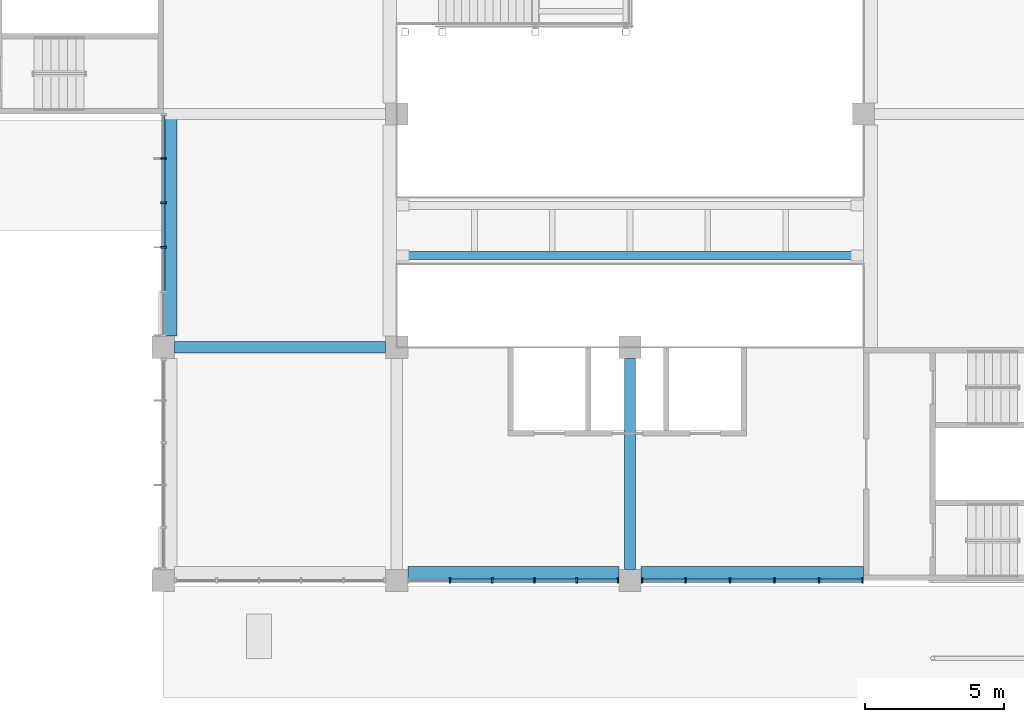
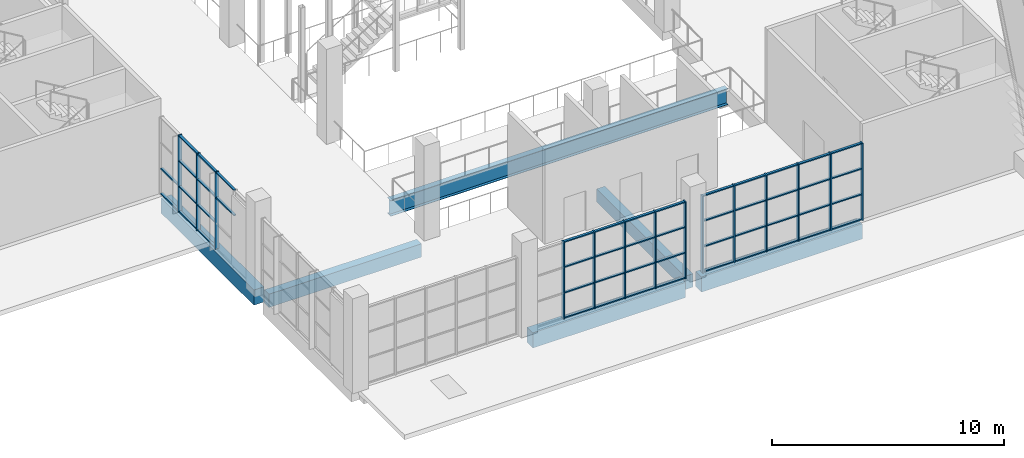
# One storey, part 12 of 101: 62 members, 6 beams, 3 elements without a shape of their own.
"""IFC4 building model written with IfcOpenShell, lengths in metres."""

from ifc_helpers import new_model, si_unit, direction, frame, origin, origin_2d, place, context, subcontext, project, spatial, rectangle, i_section, extrude, material, material_profile, profile_set, type_object, element, aggregate, save


model = new_model("IFC4")

# Units and contexts
model_context = context("Model", 3, precision=1e-05, world=origin(), true_north=direction((0.0, 1.0)))
body_context = subcontext(model_context, "Body", "Model", "MODEL_VIEW")
ifc_project = project(units=[si_unit("LENGTHUNIT", "METRE"), si_unit("AREAUNIT", "SQUARE_METRE"), si_unit("VOLUMEUNIT", "CUBIC_METRE"), si_unit("PLANEANGLEUNIT", "RADIAN"), si_unit("MASSUNIT", "GRAM", prefix="KILO")], contexts=[model_context])

# Site, building, storey
site_placement = place(None, origin())
site = spatial("IfcSite", under=ifc_project, at=site_placement, CompositionType="ELEMENT")
building_placement = place(site_placement, origin())
building = spatial("IfcBuilding", under=site, at=building_placement, Name="Almond Square Museum", CompositionType="ELEMENT")
storey_placement = place(building_placement, frame((0.0, 0.0, 5.5)))
storey = spatial("IfcBuildingStorey", under=building, at=storey_placement, Name="L01", CompositionType="ELEMENT", Elevation=5.5)

# Curtain wall, members
ifc_material_1 = material(Name="Aluminium and laminated glass", Category="aluminium")
curtain_wall_type = type_object("IfcCurtainWallType", Name="Unitised curtain wall 1500 module", PredefinedType="NOTDEFINED", material=ifc_material_1)
curtain_wall_1_placement = place(storey_placement, origin())
curtain_wall_1 = element("IfcCurtainWall", 1, at=curtain_wall_1_placement, inside=storey, type_object=curtain_wall_type, Name="Curtain wall CW-11", PredefinedType="NOTDEFINED")
ifc_material_2 = material(Name="Anodised aluminium", Category="aluminium")
ifc_material_profile_1 = material_profile(ifc_material_2, rectangle(XDim=0.199951171875, YDim=0.06005859375, at=origin_2d()))
ifc_profile_set_1 = profile_set([ifc_material_profile_1], Name="Anodised aluminium")
member_type_1 = type_object("IfcMemberType", Name="Aluminium mullion 60 x 200", PredefinedType="MULLION", material=ifc_profile_set_1)
member_1_placement = place(storey_placement, frame((73.199951171875, 79.199951171875, 0.0), z_axis=(0.0, 0.0, 1.0), x_axis=(-1.0, 0.0, 0.0)))
member_1 = element("IfcMember", 2, at=member_1_placement, type_object=member_type_1, Name="CW-11 mullion 3", PredefinedType="MULLION", context=body_context, shape_type="SweptSolid", body=[
    extrude(rectangle(XDim=0.199951171875, YDim=0.06005859375, at=origin_2d()), origin(), (0.0, 0.0, 1.0), 4.050048828125),
])
member_2_placement = place(storey_placement, frame((73.199951171875, 80.800048828125, 0.0), z_axis=(0.0, 0.0, 1.0), x_axis=(-1.0, 0.0, 0.0)))
member_2 = element("IfcMember", 3, at=member_2_placement, type_object=member_type_1, Name="CW-11 mullion 4", PredefinedType="MULLION", context=body_context, shape_type="SweptSolid", body=[
    extrude(rectangle(XDim=0.199951171875, YDim=0.06005859375, at=origin_2d()), origin(), (0.0, 0.0, 1.0), 4.050048828125),
])
member_3_placement = place(storey_placement, frame((73.199951171875, 82.39990234375, 0.0), z_axis=(0.0, 0.0, 1.0), x_axis=(-1.0, 0.0, 0.0)))
member_3 = element("IfcMember", 4, at=member_3_placement, type_object=member_type_1, Name="CW-11 mullion 5", PredefinedType="MULLION", context=body_context, shape_type="SweptSolid", body=[
    extrude(rectangle(XDim=0.199951171875, YDim=0.06005859375, at=origin_2d()), origin(), (0.0, 0.0, 1.0), 4.050048828125),
])

curtain_wall_2_placement = place(storey_placement, origin())
curtain_wall_2 = element("IfcCurtainWall", 5, at=curtain_wall_2_placement, inside=storey, type_object=curtain_wall_type, Name="Curtain wall CW-14", PredefinedType="NOTDEFINED")
member_4_placement = place(storey_placement, frame((83.52001953125, 67.199951171875, 0.0), z_axis=(0.0, 0.0, 1.0), x_axis=(0.0, 1.0, 0.0)))
member_4 = element("IfcMember", 6, at=member_4_placement, type_object=member_type_1, Name="CW-14 mullion 2", PredefinedType="MULLION", context=body_context, shape_type="SweptSolid", body=[
    extrude(rectangle(XDim=0.199951171875, YDim=0.06005859375, at=origin_2d()), origin(), (0.0, 0.0, 1.0), 4.050048828125),
])
member_5_placement = place(storey_placement, frame((85.0400390625, 67.199951171875, 0.0), z_axis=(0.0, 0.0, 1.0), x_axis=(0.0, 1.0, 0.0)))
member_5 = element("IfcMember", 7, at=member_5_placement, type_object=member_type_1, Name="CW-14 mullion 3", PredefinedType="MULLION", context=body_context, shape_type="SweptSolid", body=[
    extrude(rectangle(XDim=0.199951171875, YDim=0.06005859375, at=origin_2d()), origin(), (0.0, 0.0, 1.0), 4.050048828125),
])
member_6_placement = place(storey_placement, frame((86.56005859375, 67.199951171875, 0.0), z_axis=(0.0, 0.0, 1.0), x_axis=(0.0, 1.0, 0.0)))
member_6 = element("IfcMember", 8, at=member_6_placement, type_object=member_type_1, Name="CW-14 mullion 4", PredefinedType="MULLION", context=body_context, shape_type="SweptSolid", body=[
    extrude(rectangle(XDim=0.199951171875, YDim=0.06005859375, at=origin_2d()), origin(), (0.0, 0.0, 1.0), 4.050048828125),
])
member_7_placement = place(storey_placement, frame((88.080078125, 67.199951171875, 0.0), z_axis=(0.0, 0.0, 1.0), x_axis=(0.0, 1.0, 0.0)))
member_7 = element("IfcMember", 9, at=member_7_placement, type_object=member_type_1, Name="CW-14 mullion 5", PredefinedType="MULLION", context=body_context, shape_type="SweptSolid", body=[
    extrude(rectangle(XDim=0.199951171875, YDim=0.06005859375, at=origin_2d()), origin(), (0.0, 0.0, 1.0), 4.050048828125),
])
member_8_placement = place(storey_placement, frame((89.570068359375, 67.199951171875, 0.0), z_axis=(0.0, 0.0, 1.0), x_axis=(0.0, 1.0, 0.0)))
member_8 = element("IfcMember", 10, at=member_8_placement, type_object=member_type_1, Name="CW-14 mullion 6", PredefinedType="MULLION", context=body_context, shape_type="SweptSolid", body=[
    extrude(rectangle(XDim=0.199951171875, YDim=0.06005859375, at=origin_2d()), origin(), (0.0, 0.0, 1.0), 4.050048828125),
])

curtain_wall_3_placement = place(storey_placement, origin())
curtain_wall_3 = element("IfcCurtainWall", 11, at=curtain_wall_3_placement, inside=storey, type_object=curtain_wall_type, Name="Curtain wall CW-15", PredefinedType="NOTDEFINED")
member_9_placement = place(storey_placement, frame((90.429931640625, 67.199951171875, 0.0), z_axis=(0.0, 0.0, 1.0), x_axis=(0.0, 1.0, 0.0)))
member_9 = element("IfcMember", 12, at=member_9_placement, type_object=member_type_1, Name="CW-15 mullion 1", PredefinedType="MULLION", context=body_context, shape_type="SweptSolid", body=[
    extrude(rectangle(XDim=0.199951171875, YDim=0.06005859375, at=origin_2d()), origin(), (0.0, 0.0, 1.0), 4.050048828125),
])
member_10_placement = place(storey_placement, frame((92.0, 67.199951171875, 0.0), z_axis=(0.0, 0.0, 1.0), x_axis=(0.0, 1.0, 0.0)))
member_10 = element("IfcMember", 13, at=member_10_placement, type_object=member_type_1, Name="CW-15 mullion 2", PredefinedType="MULLION", context=body_context, shape_type="SweptSolid", body=[
    extrude(rectangle(XDim=0.199951171875, YDim=0.06005859375, at=origin_2d()), origin(), (0.0, 0.0, 1.0), 4.050048828125),
])
member_11_placement = place(storey_placement, frame((93.60009765625, 67.199951171875, 0.0), z_axis=(0.0, 0.0, 1.0), x_axis=(0.0, 1.0, 0.0)))
member_11 = element("IfcMember", 14, at=member_11_placement, type_object=member_type_1, Name="CW-15 mullion 3", PredefinedType="MULLION", context=body_context, shape_type="SweptSolid", body=[
    extrude(rectangle(XDim=0.199951171875, YDim=0.06005859375, at=origin_2d()), origin(), (0.0, 0.0, 1.0), 4.050048828125),
])
member_12_placement = place(storey_placement, frame((95.199951171875, 67.199951171875, 0.0), z_axis=(0.0, 0.0, 1.0), x_axis=(0.0, 1.0, 0.0)))
member_12 = element("IfcMember", 15, at=member_12_placement, type_object=member_type_1, Name="CW-15 mullion 4", PredefinedType="MULLION", context=body_context, shape_type="SweptSolid", body=[
    extrude(rectangle(XDim=0.199951171875, YDim=0.06005859375, at=origin_2d()), origin(), (0.0, 0.0, 1.0), 4.050048828125),
])
member_13_placement = place(storey_placement, frame((96.800048828125, 67.199951171875, 0.0), z_axis=(0.0, 0.0, 1.0), x_axis=(0.0, 1.0, 0.0)))
member_13 = element("IfcMember", 16, at=member_13_placement, type_object=member_type_1, Name="CW-15 mullion 5", PredefinedType="MULLION", context=body_context, shape_type="SweptSolid", body=[
    extrude(rectangle(XDim=0.199951171875, YDim=0.06005859375, at=origin_2d()), origin(), (0.0, 0.0, 1.0), 4.050048828125),
])
member_14_placement = place(storey_placement, frame((98.3701171875, 67.199951171875, 0.0), z_axis=(0.0, 0.0, 1.0), x_axis=(0.0, 1.0, 0.0)))
member_14 = element("IfcMember", 17, at=member_14_placement, type_object=member_type_1, Name="CW-15 mullion 6", PredefinedType="MULLION", context=body_context, shape_type="SweptSolid", body=[
    extrude(rectangle(XDim=0.199951171875, YDim=0.06005859375, at=origin_2d()), origin(), (0.0, 0.0, 1.0), 4.050048828125),
])

# Member
ifc_material_3 = material(Name="Anodised aluminium", Category="aluminium")
ifc_material_profile_2 = material_profile(ifc_material_3, rectangle(XDim=0.1201171875, YDim=0.06005859375, at=origin_2d()))
ifc_profile_set_2 = profile_set([ifc_material_profile_2], Name="Anodised aluminium")
member_type_2 = type_object("IfcMemberType", Name="Aluminium transom 60 x 120", PredefinedType="USERDEFINED", material=ifc_profile_set_2)
member_15_placement = place(storey_placement, frame((73.199951171875, 77.6298828125, 2.699951171875), z_axis=(0.0, 1.0, 0.0), x_axis=(-1.0, 0.0, 0.0)))
member_15 = element("IfcMember", 18, at=member_15_placement, type_object=member_type_2, Name="CW-11 transom 2.3", ObjectType="TRANSOM", PredefinedType="USERDEFINED", context=body_context, shape_type="SweptSolid", body=[
    extrude(rectangle(XDim=0.1201171875, YDim=0.06005859375, at=origin_2d()), origin(), (0.0, 0.0, 1.0), 1.5400390625),
])

member_16_placement = place(storey_placement, frame((73.199951171875, 77.6298828125, 4.02001953125), z_axis=(0.0, 1.0, 0.0), x_axis=(-1.0, 0.0, 0.0)))
member_16 = element("IfcMember", 19, at=member_16_placement, type_object=member_type_2, Name="CW-11 transom 2.4", ObjectType="TRANSOM", PredefinedType="USERDEFINED", context=body_context, shape_type="SweptSolid", body=[
    extrude(rectangle(XDim=0.1201171875, YDim=0.06005859375, at=origin_2d()), origin(), (0.0, 0.0, 1.0), 1.5400390625),
])

member_17_placement = place(storey_placement, frame((73.199951171875, 79.22998046875, 0.030029296875), z_axis=(0.0, 1.0, 0.0), x_axis=(-1.0, 0.0, 0.0)))
member_17 = element("IfcMember", 20, at=member_17_placement, type_object=member_type_2, Name="CW-11 transom 3.1", ObjectType="TRANSOM", PredefinedType="USERDEFINED", context=body_context, shape_type="SweptSolid", body=[
    extrude(rectangle(XDim=0.1201171875, YDim=0.06005859375, at=origin_2d()), origin(), (0.0, 0.0, 1.0), 1.5400390625),
])

member_18_placement = place(storey_placement, frame((73.199951171875, 79.22998046875, 1.35009765625), z_axis=(0.0, 1.0, 0.0), x_axis=(-1.0, 0.0, 0.0)))
member_18 = element("IfcMember", 21, at=member_18_placement, type_object=member_type_2, Name="CW-11 transom 3.2", ObjectType="TRANSOM", PredefinedType="USERDEFINED", context=body_context, shape_type="SweptSolid", body=[
    extrude(rectangle(XDim=0.1201171875, YDim=0.06005859375, at=origin_2d()), origin(), (0.0, 0.0, 1.0), 1.5400390625),
])

member_19_placement = place(storey_placement, frame((73.199951171875, 79.22998046875, 2.699951171875), z_axis=(0.0, 1.0, 0.0), x_axis=(-1.0, 0.0, 0.0)))
member_19 = element("IfcMember", 22, at=member_19_placement, type_object=member_type_2, Name="CW-11 transom 3.3", ObjectType="TRANSOM", PredefinedType="USERDEFINED", context=body_context, shape_type="SweptSolid", body=[
    extrude(rectangle(XDim=0.1201171875, YDim=0.06005859375, at=origin_2d()), origin(), (0.0, 0.0, 1.0), 1.5400390625),
])

member_20_placement = place(storey_placement, frame((73.199951171875, 79.22998046875, 4.02001953125), z_axis=(0.0, 1.0, 0.0), x_axis=(-1.0, 0.0, 0.0)))
member_20 = element("IfcMember", 23, at=member_20_placement, type_object=member_type_2, Name="CW-11 transom 3.4", ObjectType="TRANSOM", PredefinedType="USERDEFINED", context=body_context, shape_type="SweptSolid", body=[
    extrude(rectangle(XDim=0.1201171875, YDim=0.06005859375, at=origin_2d()), origin(), (0.0, 0.0, 1.0), 1.5400390625),
])

member_21_placement = place(storey_placement, frame((73.199951171875, 80.830078125, 0.030029296875), z_axis=(0.0, 1.0, 0.0), x_axis=(-1.0, 0.0, 0.0)))
member_21 = element("IfcMember", 24, at=member_21_placement, type_object=member_type_2, Name="CW-11 transom 4.1", ObjectType="TRANSOM", PredefinedType="USERDEFINED", context=body_context, shape_type="SweptSolid", body=[
    extrude(rectangle(XDim=0.1201171875, YDim=0.06005859375, at=origin_2d()), origin(), (0.0, 0.0, 1.0), 1.5400390625),
])

member_22_placement = place(storey_placement, frame((73.199951171875, 80.830078125, 1.35009765625), z_axis=(0.0, 1.0, 0.0), x_axis=(-1.0, 0.0, 0.0)))
member_22 = element("IfcMember", 25, at=member_22_placement, type_object=member_type_2, Name="CW-11 transom 4.2", ObjectType="TRANSOM", PredefinedType="USERDEFINED", context=body_context, shape_type="SweptSolid", body=[
    extrude(rectangle(XDim=0.1201171875, YDim=0.06005859375, at=origin_2d()), origin(), (0.0, 0.0, 1.0), 1.5400390625),
])

member_23_placement = place(storey_placement, frame((73.199951171875, 80.830078125, 2.699951171875), z_axis=(0.0, 1.0, 0.0), x_axis=(-1.0, 0.0, 0.0)))
member_23 = element("IfcMember", 26, at=member_23_placement, type_object=member_type_2, Name="CW-11 transom 4.3", ObjectType="TRANSOM", PredefinedType="USERDEFINED", context=body_context, shape_type="SweptSolid", body=[
    extrude(rectangle(XDim=0.1201171875, YDim=0.06005859375, at=origin_2d()), origin(), (0.0, 0.0, 1.0), 1.5400390625),
])

member_24_placement = place(storey_placement, frame((73.199951171875, 80.830078125, 4.02001953125), z_axis=(0.0, 1.0, 0.0), x_axis=(-1.0, 0.0, 0.0)))
member_24 = element("IfcMember", 27, at=member_24_placement, type_object=member_type_2, Name="CW-11 transom 4.4", ObjectType="TRANSOM", PredefinedType="USERDEFINED", context=body_context, shape_type="SweptSolid", body=[
    extrude(rectangle(XDim=0.1201171875, YDim=0.06005859375, at=origin_2d()), origin(), (0.0, 0.0, 1.0), 1.5400390625),
])

member_25_placement = place(storey_placement, frame((73.199951171875, 82.429931640625, 0.030029296875), z_axis=(0.0, 1.0, 0.0), x_axis=(-1.0, 0.0, 0.0)))
member_25 = element("IfcMember", 28, at=member_25_placement, type_object=member_type_2, Name="CW-11 transom 5.1", ObjectType="TRANSOM", PredefinedType="USERDEFINED", context=body_context, shape_type="SweptSolid", body=[
    extrude(rectangle(XDim=0.1201171875, YDim=0.06005859375, at=origin_2d()), origin(), (0.0, 0.0, 1.0), 1.510009765625),
])

member_26_placement = place(storey_placement, frame((73.199951171875, 82.429931640625, 1.35009765625), z_axis=(0.0, 1.0, 0.0), x_axis=(-1.0, 0.0, 0.0)))
member_26 = element("IfcMember", 29, at=member_26_placement, type_object=member_type_2, Name="CW-11 transom 5.2", ObjectType="TRANSOM", PredefinedType="USERDEFINED", context=body_context, shape_type="SweptSolid", body=[
    extrude(rectangle(XDim=0.1201171875, YDim=0.06005859375, at=origin_2d()), origin(), (0.0, 0.0, 1.0), 1.510009765625),
])

aggregate(curtain_wall_1, [member_1, member_2, member_3, member_15, member_16, member_17, member_18, member_19, member_20, member_21, member_22, member_23, member_24, member_25, member_26])

member_27_placement = place(storey_placement, frame((83.550048828125, 67.199951171875, 0.030029296875), z_axis=(1.0, 0.0, 0.0), x_axis=(0.0, 1.0, 0.0)))
member_27 = element("IfcMember", 30, at=member_27_placement, type_object=member_type_2, Name="CW-14 transom 2.1", ObjectType="TRANSOM", PredefinedType="USERDEFINED", context=body_context, shape_type="SweptSolid", body=[
    extrude(rectangle(XDim=0.1201171875, YDim=0.06005859375, at=origin_2d()), origin(), (0.0, 0.0, 1.0), 1.4599609375),
])

member_28_placement = place(storey_placement, frame((83.550048828125, 67.199951171875, 1.35009765625), z_axis=(1.0, 0.0, 0.0), x_axis=(0.0, 1.0, 0.0)))
member_28 = element("IfcMember", 31, at=member_28_placement, type_object=member_type_2, Name="CW-14 transom 2.2", ObjectType="TRANSOM", PredefinedType="USERDEFINED", context=body_context, shape_type="SweptSolid", body=[
    extrude(rectangle(XDim=0.1201171875, YDim=0.06005859375, at=origin_2d()), origin(), (0.0, 0.0, 1.0), 1.4599609375),
])

member_29_placement = place(storey_placement, frame((83.550048828125, 67.199951171875, 2.699951171875), z_axis=(1.0, 0.0, 0.0), x_axis=(0.0, 1.0, 0.0)))
member_29 = element("IfcMember", 32, at=member_29_placement, type_object=member_type_2, Name="CW-14 transom 2.3", ObjectType="TRANSOM", PredefinedType="USERDEFINED", context=body_context, shape_type="SweptSolid", body=[
    extrude(rectangle(XDim=0.1201171875, YDim=0.06005859375, at=origin_2d()), origin(), (0.0, 0.0, 1.0), 1.4599609375),
])

member_30_placement = place(storey_placement, frame((83.550048828125, 67.199951171875, 4.02001953125), z_axis=(1.0, 0.0, 0.0), x_axis=(0.0, 1.0, 0.0)))
member_30 = element("IfcMember", 33, at=member_30_placement, type_object=member_type_2, Name="CW-14 transom 2.4", ObjectType="TRANSOM", PredefinedType="USERDEFINED", context=body_context, shape_type="SweptSolid", body=[
    extrude(rectangle(XDim=0.1201171875, YDim=0.06005859375, at=origin_2d()), origin(), (0.0, 0.0, 1.0), 1.4599609375),
])

member_31_placement = place(storey_placement, frame((85.070068359375, 67.199951171875, 0.030029296875), z_axis=(1.0, 0.0, 0.0), x_axis=(0.0, 1.0, 0.0)))
member_31 = element("IfcMember", 34, at=member_31_placement, type_object=member_type_2, Name="CW-14 transom 3.1", ObjectType="TRANSOM", PredefinedType="USERDEFINED", context=body_context, shape_type="SweptSolid", body=[
    extrude(rectangle(XDim=0.1201171875, YDim=0.06005859375, at=origin_2d()), origin(), (0.0, 0.0, 1.0), 1.4599609375),
])

member_32_placement = place(storey_placement, frame((85.070068359375, 67.199951171875, 1.35009765625), z_axis=(1.0, 0.0, 0.0), x_axis=(0.0, 1.0, 0.0)))
member_32 = element("IfcMember", 35, at=member_32_placement, type_object=member_type_2, Name="CW-14 transom 3.2", ObjectType="TRANSOM", PredefinedType="USERDEFINED", context=body_context, shape_type="SweptSolid", body=[
    extrude(rectangle(XDim=0.1201171875, YDim=0.06005859375, at=origin_2d()), origin(), (0.0, 0.0, 1.0), 1.4599609375),
])

member_33_placement = place(storey_placement, frame((85.070068359375, 67.199951171875, 2.699951171875), z_axis=(1.0, 0.0, 0.0), x_axis=(0.0, 1.0, 0.0)))
member_33 = element("IfcMember", 36, at=member_33_placement, type_object=member_type_2, Name="CW-14 transom 3.3", ObjectType="TRANSOM", PredefinedType="USERDEFINED", context=body_context, shape_type="SweptSolid", body=[
    extrude(rectangle(XDim=0.1201171875, YDim=0.06005859375, at=origin_2d()), origin(), (0.0, 0.0, 1.0), 1.4599609375),
])

member_34_placement = place(storey_placement, frame((85.070068359375, 67.199951171875, 4.02001953125), z_axis=(1.0, 0.0, 0.0), x_axis=(0.0, 1.0, 0.0)))
member_34 = element("IfcMember", 37, at=member_34_placement, type_object=member_type_2, Name="CW-14 transom 3.4", ObjectType="TRANSOM", PredefinedType="USERDEFINED", context=body_context, shape_type="SweptSolid", body=[
    extrude(rectangle(XDim=0.1201171875, YDim=0.06005859375, at=origin_2d()), origin(), (0.0, 0.0, 1.0), 1.4599609375),
])

member_35_placement = place(storey_placement, frame((86.590087890625, 67.199951171875, 0.030029296875), z_axis=(1.0, 0.0, 0.0), x_axis=(0.0, 1.0, 0.0)))
member_35 = element("IfcMember", 38, at=member_35_placement, type_object=member_type_2, Name="CW-14 transom 4.1", ObjectType="TRANSOM", PredefinedType="USERDEFINED", context=body_context, shape_type="SweptSolid", body=[
    extrude(rectangle(XDim=0.1201171875, YDim=0.06005859375, at=origin_2d()), origin(), (0.0, 0.0, 1.0), 1.4599609375),
])

member_36_placement = place(storey_placement, frame((86.590087890625, 67.199951171875, 1.35009765625), z_axis=(1.0, 0.0, 0.0), x_axis=(0.0, 1.0, 0.0)))
member_36 = element("IfcMember", 39, at=member_36_placement, type_object=member_type_2, Name="CW-14 transom 4.2", ObjectType="TRANSOM", PredefinedType="USERDEFINED", context=body_context, shape_type="SweptSolid", body=[
    extrude(rectangle(XDim=0.1201171875, YDim=0.06005859375, at=origin_2d()), origin(), (0.0, 0.0, 1.0), 1.4599609375),
])

member_37_placement = place(storey_placement, frame((86.590087890625, 67.199951171875, 2.699951171875), z_axis=(1.0, 0.0, 0.0), x_axis=(0.0, 1.0, 0.0)))
member_37 = element("IfcMember", 40, at=member_37_placement, type_object=member_type_2, Name="CW-14 transom 4.3", ObjectType="TRANSOM", PredefinedType="USERDEFINED", context=body_context, shape_type="SweptSolid", body=[
    extrude(rectangle(XDim=0.1201171875, YDim=0.06005859375, at=origin_2d()), origin(), (0.0, 0.0, 1.0), 1.4599609375),
])

member_38_placement = place(storey_placement, frame((86.590087890625, 67.199951171875, 4.02001953125), z_axis=(1.0, 0.0, 0.0), x_axis=(0.0, 1.0, 0.0)))
member_38 = element("IfcMember", 41, at=member_38_placement, type_object=member_type_2, Name="CW-14 transom 4.4", ObjectType="TRANSOM", PredefinedType="USERDEFINED", context=body_context, shape_type="SweptSolid", body=[
    extrude(rectangle(XDim=0.1201171875, YDim=0.06005859375, at=origin_2d()), origin(), (0.0, 0.0, 1.0), 1.4599609375),
])

member_39_placement = place(storey_placement, frame((88.110107421875, 67.199951171875, 0.030029296875), z_axis=(1.0, 0.0, 0.0), x_axis=(0.0, 1.0, 0.0)))
member_39 = element("IfcMember", 42, at=member_39_placement, type_object=member_type_2, Name="CW-14 transom 5.1", ObjectType="TRANSOM", PredefinedType="USERDEFINED", context=body_context, shape_type="SweptSolid", body=[
    extrude(rectangle(XDim=0.1201171875, YDim=0.06005859375, at=origin_2d()), origin(), (0.0, 0.0, 1.0), 1.429931640625),
])

member_40_placement = place(storey_placement, frame((88.110107421875, 67.199951171875, 1.35009765625), z_axis=(1.0, 0.0, 0.0), x_axis=(0.0, 1.0, 0.0)))
member_40 = element("IfcMember", 43, at=member_40_placement, type_object=member_type_2, Name="CW-14 transom 5.2", ObjectType="TRANSOM", PredefinedType="USERDEFINED", context=body_context, shape_type="SweptSolid", body=[
    extrude(rectangle(XDim=0.1201171875, YDim=0.06005859375, at=origin_2d()), origin(), (0.0, 0.0, 1.0), 1.429931640625),
])

member_41_placement = place(storey_placement, frame((88.110107421875, 67.199951171875, 2.699951171875), z_axis=(1.0, 0.0, 0.0), x_axis=(0.0, 1.0, 0.0)))
member_41 = element("IfcMember", 44, at=member_41_placement, type_object=member_type_2, Name="CW-14 transom 5.3", ObjectType="TRANSOM", PredefinedType="USERDEFINED", context=body_context, shape_type="SweptSolid", body=[
    extrude(rectangle(XDim=0.1201171875, YDim=0.06005859375, at=origin_2d()), origin(), (0.0, 0.0, 1.0), 1.429931640625),
])

member_42_placement = place(storey_placement, frame((88.110107421875, 67.199951171875, 4.02001953125), z_axis=(1.0, 0.0, 0.0), x_axis=(0.0, 1.0, 0.0)))
member_42 = element("IfcMember", 45, at=member_42_placement, type_object=member_type_2, Name="CW-14 transom 5.4", ObjectType="TRANSOM", PredefinedType="USERDEFINED", context=body_context, shape_type="SweptSolid", body=[
    extrude(rectangle(XDim=0.1201171875, YDim=0.06005859375, at=origin_2d()), origin(), (0.0, 0.0, 1.0), 1.429931640625),
])

aggregate(curtain_wall_2, [member_4, member_5, member_6, member_7, member_8, member_27, member_28, member_29, member_30, member_31, member_32, member_33, member_34, member_35, member_36, member_37, member_38, member_39, member_40, member_41, member_42])

member_43_placement = place(storey_placement, frame((90.4599609375, 67.199951171875, 0.030029296875), z_axis=(1.0, 0.0, 0.0), x_axis=(0.0, 1.0, 0.0)))
member_43 = element("IfcMember", 46, at=member_43_placement, type_object=member_type_2, Name="CW-15 transom 1.1", ObjectType="TRANSOM", PredefinedType="USERDEFINED", context=body_context, shape_type="SweptSolid", body=[
    extrude(rectangle(XDim=0.1201171875, YDim=0.06005859375, at=origin_2d()), origin(), (0.0, 0.0, 1.0), 1.510009765625),
])

member_44_placement = place(storey_placement, frame((90.4599609375, 67.199951171875, 1.35009765625), z_axis=(1.0, 0.0, 0.0), x_axis=(0.0, 1.0, 0.0)))
member_44 = element("IfcMember", 47, at=member_44_placement, type_object=member_type_2, Name="CW-15 transom 1.2", ObjectType="TRANSOM", PredefinedType="USERDEFINED", context=body_context, shape_type="SweptSolid", body=[
    extrude(rectangle(XDim=0.1201171875, YDim=0.06005859375, at=origin_2d()), origin(), (0.0, 0.0, 1.0), 1.510009765625),
])

member_45_placement = place(storey_placement, frame((90.4599609375, 67.199951171875, 2.699951171875), z_axis=(1.0, 0.0, 0.0), x_axis=(0.0, 1.0, 0.0)))
member_45 = element("IfcMember", 48, at=member_45_placement, type_object=member_type_2, Name="CW-15 transom 1.3", ObjectType="TRANSOM", PredefinedType="USERDEFINED", context=body_context, shape_type="SweptSolid", body=[
    extrude(rectangle(XDim=0.1201171875, YDim=0.06005859375, at=origin_2d()), origin(), (0.0, 0.0, 1.0), 1.510009765625),
])

member_46_placement = place(storey_placement, frame((90.4599609375, 67.199951171875, 4.02001953125), z_axis=(1.0, 0.0, 0.0), x_axis=(0.0, 1.0, 0.0)))
member_46 = element("IfcMember", 49, at=member_46_placement, type_object=member_type_2, Name="CW-15 transom 1.4", ObjectType="TRANSOM", PredefinedType="USERDEFINED", context=body_context, shape_type="SweptSolid", body=[
    extrude(rectangle(XDim=0.1201171875, YDim=0.06005859375, at=origin_2d()), origin(), (0.0, 0.0, 1.0), 1.510009765625),
])

member_47_placement = place(storey_placement, frame((92.030029296875, 67.199951171875, 0.030029296875), z_axis=(1.0, 0.0, 0.0), x_axis=(0.0, 1.0, 0.0)))
member_47 = element("IfcMember", 50, at=member_47_placement, type_object=member_type_2, Name="CW-15 transom 2.1", ObjectType="TRANSOM", PredefinedType="USERDEFINED", context=body_context, shape_type="SweptSolid", body=[
    extrude(rectangle(XDim=0.1201171875, YDim=0.06005859375, at=origin_2d()), origin(), (0.0, 0.0, 1.0), 1.5400390625),
])

member_48_placement = place(storey_placement, frame((92.030029296875, 67.199951171875, 1.35009765625), z_axis=(1.0, 0.0, 0.0), x_axis=(0.0, 1.0, 0.0)))
member_48 = element("IfcMember", 51, at=member_48_placement, type_object=member_type_2, Name="CW-15 transom 2.2", ObjectType="TRANSOM", PredefinedType="USERDEFINED", context=body_context, shape_type="SweptSolid", body=[
    extrude(rectangle(XDim=0.1201171875, YDim=0.06005859375, at=origin_2d()), origin(), (0.0, 0.0, 1.0), 1.5400390625),
])

member_49_placement = place(storey_placement, frame((92.030029296875, 67.199951171875, 2.699951171875), z_axis=(1.0, 0.0, 0.0), x_axis=(0.0, 1.0, 0.0)))
member_49 = element("IfcMember", 52, at=member_49_placement, type_object=member_type_2, Name="CW-15 transom 2.3", ObjectType="TRANSOM", PredefinedType="USERDEFINED", context=body_context, shape_type="SweptSolid", body=[
    extrude(rectangle(XDim=0.1201171875, YDim=0.06005859375, at=origin_2d()), origin(), (0.0, 0.0, 1.0), 1.5400390625),
])

member_50_placement = place(storey_placement, frame((92.030029296875, 67.199951171875, 4.02001953125), z_axis=(1.0, 0.0, 0.0), x_axis=(0.0, 1.0, 0.0)))
member_50 = element("IfcMember", 53, at=member_50_placement, type_object=member_type_2, Name="CW-15 transom 2.4", ObjectType="TRANSOM", PredefinedType="USERDEFINED", context=body_context, shape_type="SweptSolid", body=[
    extrude(rectangle(XDim=0.1201171875, YDim=0.06005859375, at=origin_2d()), origin(), (0.0, 0.0, 1.0), 1.5400390625),
])

member_51_placement = place(storey_placement, frame((93.6298828125, 67.199951171875, 0.030029296875), z_axis=(1.0, 0.0, 0.0), x_axis=(0.0, 1.0, 0.0)))
member_51 = element("IfcMember", 54, at=member_51_placement, type_object=member_type_2, Name="CW-15 transom 3.1", ObjectType="TRANSOM", PredefinedType="USERDEFINED", context=body_context, shape_type="SweptSolid", body=[
    extrude(rectangle(XDim=0.1201171875, YDim=0.06005859375, at=origin_2d()), origin(), (0.0, 0.0, 1.0), 1.5400390625),
])

member_52_placement = place(storey_placement, frame((93.6298828125, 67.199951171875, 1.35009765625), z_axis=(1.0, 0.0, 0.0), x_axis=(0.0, 1.0, 0.0)))
member_52 = element("IfcMember", 55, at=member_52_placement, type_object=member_type_2, Name="CW-15 transom 3.2", ObjectType="TRANSOM", PredefinedType="USERDEFINED", context=body_context, shape_type="SweptSolid", body=[
    extrude(rectangle(XDim=0.1201171875, YDim=0.06005859375, at=origin_2d()), origin(), (0.0, 0.0, 1.0), 1.5400390625),
])

member_53_placement = place(storey_placement, frame((93.6298828125, 67.199951171875, 2.699951171875), z_axis=(1.0, 0.0, 0.0), x_axis=(0.0, 1.0, 0.0)))
member_53 = element("IfcMember", 56, at=member_53_placement, type_object=member_type_2, Name="CW-15 transom 3.3", ObjectType="TRANSOM", PredefinedType="USERDEFINED", context=body_context, shape_type="SweptSolid", body=[
    extrude(rectangle(XDim=0.1201171875, YDim=0.06005859375, at=origin_2d()), origin(), (0.0, 0.0, 1.0), 1.5400390625),
])

member_54_placement = place(storey_placement, frame((93.6298828125, 67.199951171875, 4.02001953125), z_axis=(1.0, 0.0, 0.0), x_axis=(0.0, 1.0, 0.0)))
member_54 = element("IfcMember", 57, at=member_54_placement, type_object=member_type_2, Name="CW-15 transom 3.4", ObjectType="TRANSOM", PredefinedType="USERDEFINED", context=body_context, shape_type="SweptSolid", body=[
    extrude(rectangle(XDim=0.1201171875, YDim=0.06005859375, at=origin_2d()), origin(), (0.0, 0.0, 1.0), 1.5400390625),
])

member_55_placement = place(storey_placement, frame((95.22998046875, 67.199951171875, 0.030029296875), z_axis=(1.0, 0.0, 0.0), x_axis=(0.0, 1.0, 0.0)))
member_55 = element("IfcMember", 58, at=member_55_placement, type_object=member_type_2, Name="CW-15 transom 4.1", ObjectType="TRANSOM", PredefinedType="USERDEFINED", context=body_context, shape_type="SweptSolid", body=[
    extrude(rectangle(XDim=0.1201171875, YDim=0.06005859375, at=origin_2d()), origin(), (0.0, 0.0, 1.0), 1.5400390625),
])

member_56_placement = place(storey_placement, frame((95.22998046875, 67.199951171875, 1.35009765625), z_axis=(1.0, 0.0, 0.0), x_axis=(0.0, 1.0, 0.0)))
member_56 = element("IfcMember", 59, at=member_56_placement, type_object=member_type_2, Name="CW-15 transom 4.2", ObjectType="TRANSOM", PredefinedType="USERDEFINED", context=body_context, shape_type="SweptSolid", body=[
    extrude(rectangle(XDim=0.1201171875, YDim=0.06005859375, at=origin_2d()), origin(), (0.0, 0.0, 1.0), 1.5400390625),
])

member_57_placement = place(storey_placement, frame((95.22998046875, 67.199951171875, 2.699951171875), z_axis=(1.0, 0.0, 0.0), x_axis=(0.0, 1.0, 0.0)))
member_57 = element("IfcMember", 60, at=member_57_placement, type_object=member_type_2, Name="CW-15 transom 4.3", ObjectType="TRANSOM", PredefinedType="USERDEFINED", context=body_context, shape_type="SweptSolid", body=[
    extrude(rectangle(XDim=0.1201171875, YDim=0.06005859375, at=origin_2d()), origin(), (0.0, 0.0, 1.0), 1.5400390625),
])

member_58_placement = place(storey_placement, frame((95.22998046875, 67.199951171875, 4.02001953125), z_axis=(1.0, 0.0, 0.0), x_axis=(0.0, 1.0, 0.0)))
member_58 = element("IfcMember", 61, at=member_58_placement, type_object=member_type_2, Name="CW-15 transom 4.4", ObjectType="TRANSOM", PredefinedType="USERDEFINED", context=body_context, shape_type="SweptSolid", body=[
    extrude(rectangle(XDim=0.1201171875, YDim=0.06005859375, at=origin_2d()), origin(), (0.0, 0.0, 1.0), 1.5400390625),
])

member_59_placement = place(storey_placement, frame((96.830078125, 67.199951171875, 0.030029296875), z_axis=(1.0, 0.0, 0.0), x_axis=(0.0, 1.0, 0.0)))
member_59 = element("IfcMember", 62, at=member_59_placement, type_object=member_type_2, Name="CW-15 transom 5.1", ObjectType="TRANSOM", PredefinedType="USERDEFINED", context=body_context, shape_type="SweptSolid", body=[
    extrude(rectangle(XDim=0.1201171875, YDim=0.06005859375, at=origin_2d()), origin(), (0.0, 0.0, 1.0), 1.510009765625),
])

member_60_placement = place(storey_placement, frame((96.830078125, 67.199951171875, 1.35009765625), z_axis=(1.0, 0.0, 0.0), x_axis=(0.0, 1.0, 0.0)))
member_60 = element("IfcMember", 63, at=member_60_placement, type_object=member_type_2, Name="CW-15 transom 5.2", ObjectType="TRANSOM", PredefinedType="USERDEFINED", context=body_context, shape_type="SweptSolid", body=[
    extrude(rectangle(XDim=0.1201171875, YDim=0.06005859375, at=origin_2d()), origin(), (0.0, 0.0, 1.0), 1.510009765625),
])

member_61_placement = place(storey_placement, frame((96.830078125, 67.199951171875, 2.699951171875), z_axis=(1.0, 0.0, 0.0), x_axis=(0.0, 1.0, 0.0)))
member_61 = element("IfcMember", 64, at=member_61_placement, type_object=member_type_2, Name="CW-15 transom 5.3", ObjectType="TRANSOM", PredefinedType="USERDEFINED", context=body_context, shape_type="SweptSolid", body=[
    extrude(rectangle(XDim=0.1201171875, YDim=0.06005859375, at=origin_2d()), origin(), (0.0, 0.0, 1.0), 1.510009765625),
])

member_62_placement = place(storey_placement, frame((96.830078125, 67.199951171875, 4.02001953125), z_axis=(1.0, 0.0, 0.0), x_axis=(0.0, 1.0, 0.0)))
member_62 = element("IfcMember", 65, at=member_62_placement, type_object=member_type_2, Name="CW-15 transom 5.4", ObjectType="TRANSOM", PredefinedType="USERDEFINED", context=body_context, shape_type="SweptSolid", body=[
    extrude(rectangle(XDim=0.1201171875, YDim=0.06005859375, at=origin_2d()), origin(), (0.0, 0.0, 1.0), 1.510009765625),
])

aggregate(curtain_wall_3, [member_9, member_10, member_11, member_12, member_13, member_14, member_43, member_44, member_45, member_46, member_47, member_48, member_49, member_50, member_51, member_52, member_53, member_54, member_55, member_56, member_57, member_58, member_59, member_60, member_61, member_62])

# Beams
ifc_material_4 = material(Name="Structural steel S355", Category="steel")
ifc_material_profile_3 = material_profile(ifc_material_4, i_section(OverallWidth=0.2919921875, OverallDepth=0.8359375, WebThickness=0.013916015625, FlangeThickness=0.018798828125, at=origin_2d()))
ifc_profile_set_3 = profile_set([ifc_material_profile_3], Name="Structural steel S355")
beam_type_1 = type_object("IfcBeamType", Name="Girder W840x176", PredefinedType="BEAM", material=ifc_profile_set_3)
beam_1_placement = place(storey_placement, frame((81.60009765625, 78.89990234375, -0.568115234375), z_axis=(1.0, 0.0, 0.0), x_axis=(0.0, 1.0, 0.0)))
element("IfcBeam", 66, at=beam_1_placement, inside=storey, type_object=beam_type_1, Name="Bridge 1 girder 1", PredefinedType="BEAM", context=body_context, shape_type="SweptSolid", body=[
    extrude(i_section(OverallWidth=0.2919921875, OverallDepth=0.8359375, WebThickness=0.013916015625, FlangeThickness=0.018798828125, at=origin_2d()), origin(), (0.0, 0.0, 1.0), 16.7998046875),
])
ifc_material_5 = material(Name="Concrete C40/50", Category="concrete")
ifc_material_profile_4 = material_profile(ifc_material_5, rectangle(XDim=0.39990234375, YDim=0.699951171875, at=origin_2d()))
ifc_profile_set_4 = profile_set([ifc_material_profile_4], Name="Concrete C40/50")
beam_type_2 = type_object("IfcBeamType", Name="RC beam 400 x 700 C40/50", PredefinedType="BEAM", material=ifc_profile_set_4)
for number, where, z_axis, x_axis, name in (
    (67, (73.60009765625, 75.60009765625, -0.60009765625), (1.0, 0.0, 0.0), (0.0, 1.0, 0.0), "Beam J 10-11 L01"),
    (68, (90.0, 67.60009765625, -0.60009765625), (0.0, 1.0, 0.0), (-1.0, 0.0, 0.0), "Beam 12 I-J L01"),
):
    element("IfcBeam", number, at=place(storey_placement, frame(where, z_axis=z_axis, x_axis=x_axis)), inside=storey, type_object=beam_type_2, Name=name, PredefinedType="BEAM", context=body_context, shape_type="SweptSolid", body=[
        extrude(rectangle(XDim=0.39990234375, YDim=0.699951171875, at=origin_2d()), origin(), (0.0, 0.0, 1.0), 7.599853515625),
    ])
ifc_material_6 = material(Name="Concrete C40/50", Category="concrete")
ifc_material_profile_5 = material_profile(ifc_material_6, rectangle(XDim=0.5, YDim=0.800048828125, at=origin_2d()))
ifc_profile_set_5 = profile_set([ifc_material_profile_5], Name="Concrete C40/50")
beam_type_3 = type_object("IfcBeamType", Name="RC edge beam 500 x 800 C40/50", PredefinedType="BEAM", material=ifc_profile_set_5)
beam_2_placement = place(storey_placement, frame((82.0, 67.449951171875, -0.64990234375), z_axis=(1.0, 0.0, 0.0), x_axis=(0.0, 1.0, 0.0)))
element("IfcBeam", 69, at=beam_2_placement, inside=storey, type_object=beam_type_3, Name="Edge beam I 11-12 L01", PredefinedType="BEAM", context=body_context, shape_type="SweptSolid", body=[
    extrude(rectangle(XDim=0.5, YDim=0.800048828125, at=origin_2d()), origin(), (0.0, 0.0, 1.0), 7.60009765625),
])
for number, where, z_axis, x_axis, name in (
    (70, (90.39990234375, 67.449951171875, -0.64990234375), (1.0, 0.0, 0.0), (0.0, 1.0, 0.0), "Edge beam I 12-13 L01"),
    (71, (73.449951171875, 76.0, -0.64990234375), (0.0, 1.0, 0.0), (-1.0, 0.0, 0.0), "Edge beam 10 J-K L01"),
):
    element("IfcBeam", number, at=place(storey_placement, frame(where, z_axis=z_axis, x_axis=x_axis)), inside=storey, type_object=beam_type_3, Name=name, PredefinedType="BEAM", context=body_context, shape_type="SweptSolid", body=[
        extrude(rectangle(XDim=0.5, YDim=0.800048828125, at=origin_2d()), origin(), (0.0, 0.0, 1.0), 8.0),
    ])

save(model, "model.ifc")
